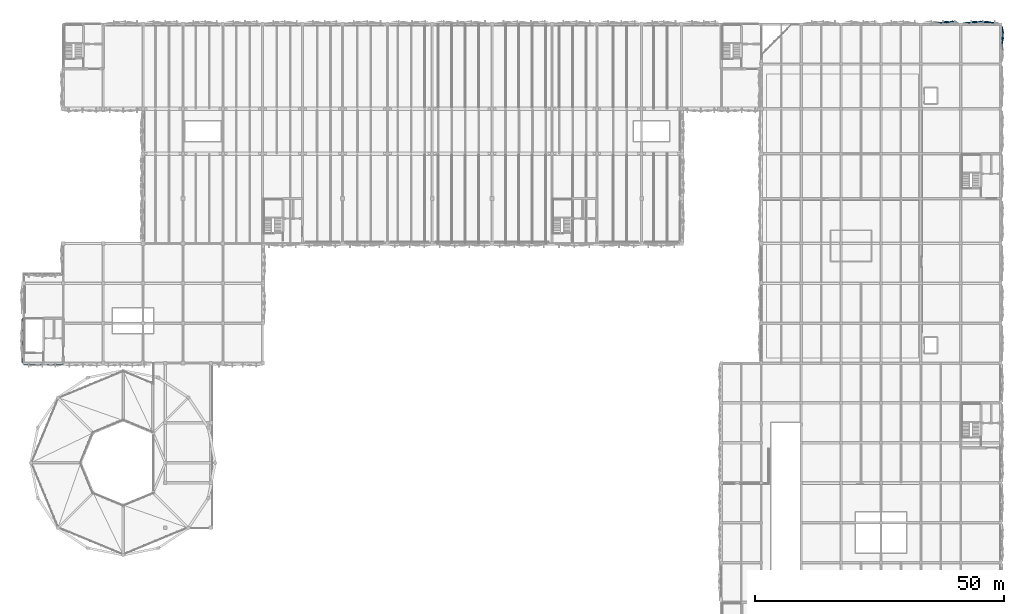
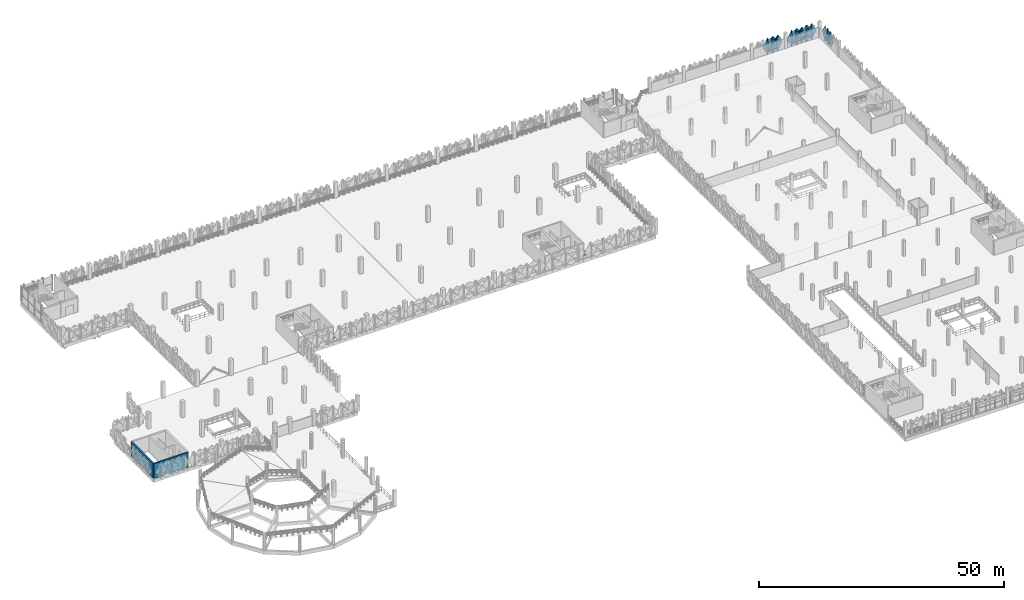
# One storey, part 39 of 83: 15 plates, 2 walls.
"""IFC4 building model written with IfcOpenShell, lengths in metres."""

from ifc_helpers import new_model, si_unit, derived_unit, direction, frame, frame_2d, origin, place, context, subcontext, project, spatial, rectangle, extrude, polygons, material, layer, layer_set, type_object, element, save


model = new_model("IFC4")

# Units and contexts
model_context = context("Model", 3, precision=1e-05, world=origin(), true_north=direction((0.0, 1.0)))
body_context = subcontext(model_context, "Body", "Model", "MODEL_VIEW")
ifc_project = project(units=[si_unit("LENGTHUNIT", "METRE"), si_unit("AREAUNIT", "SQUARE_METRE"), si_unit("VOLUMEUNIT", "CUBIC_METRE"), si_unit("PLANEANGLEUNIT", "RADIAN"), si_unit("MASSUNIT", "GRAM", prefix="KILO"), si_unit("THERMODYNAMICTEMPERATUREUNIT", "KELVIN"), derived_unit("THERMALTRANSMITTANCEUNIT", [(si_unit("POWERUNIT", "WATT"), 1), (si_unit("AREAUNIT", "SQUARE_METRE"), -1), (si_unit("THERMODYNAMICTEMPERATUREUNIT", "KELVIN"), -1)])], contexts=[model_context])

# Site, building, storey
site_placement = place(None, origin())
site = spatial("IfcSite", under=ifc_project, at=site_placement, CompositionType="ELEMENT")
building_placement = place(site_placement, origin())
building = spatial("IfcBuilding", under=site, at=building_placement, Name="Haiyu Intermodal Mobility Hub", CompositionType="ELEMENT")
storey_placement = place(building_placement, frame((0.0, 0.0, 13.39990234375)))
storey = spatial("IfcBuildingStorey", under=building, at=storey_placement, Name="L03", CompositionType="ELEMENT", Elevation=13.39990234375)

# Plates
ifc_material_1 = material(Name="Anodised aluminium 6063-T6", Category="aluminium")
ifc_layer_1 = layer(ifc_material_1, 0.01806640625)
ifc_layer_set_1 = layer_set([ifc_layer_1], Name="Anodised aluminium 6063-T6")
plate_type_1 = type_object("IfcPlateType", Name="PLT-FC01", PredefinedType="USERDEFINED", material=ifc_layer_set_1)
plate_1_placement = place(storey_placement, origin())
element("IfcPlate", 1, at=plate_1_placement, inside=storey, type_object=plate_type_1, Name="PLT-PYR-1262", ObjectType="FACADE CASSETTE", PredefinedType="USERDEFINED", context=body_context, shape_type="Tessellation", body=[
    polygons([(199.173095703125, 148.39990234375, 1.6201171875), (198.02001953125, 148.39990234375, 2.670166015625), (199.173095703125, 148.39990234375, 3.72021484375), (200.326904296875, 148.39990234375, 2.670166015625), (199.173095703125, 148.659912109375, 2.670166015625), (199.173095703125, 148.3779296875, 1.6201171875), (198.02001953125, 148.3779296875, 2.670166015625), (199.173095703125, 148.3779296875, 3.72021484375), (200.326904296875, 148.3779296875, 2.670166015625), (199.173095703125, 148.637939453125, 2.670166015625)], [[[1, 2, 5]], [[2, 3, 5]], [[3, 4, 5]], [[4, 1, 5]], [[7, 6, 10]], [[8, 7, 10]], [[9, 8, 10]], [[6, 9, 10]], [[1, 6, 7, 2]], [[2, 7, 8, 3]], [[3, 8, 9, 4]], [[4, 9, 6, 1]]], closed=True),
])
plate_2_placement = place(storey_placement, origin())
element("IfcPlate", 2, at=plate_2_placement, inside=storey, type_object=plate_type_1, Name="PLT-PYR-1270", ObjectType="FACADE CASSETTE", PredefinedType="USERDEFINED", context=body_context, shape_type="Tessellation", body=[
    polygons([(206.0, 148.39990234375, -0.510009765625), (204.846923828125, 148.39990234375, 1.60009765625), (206.0, 148.39990234375, 3.710205078125), (207.153076171875, 148.39990234375, 1.60009765625), (206.0, 148.679931640625, 1.60009765625), (206.0, 148.3779296875, -0.510009765625), (204.846923828125, 148.3779296875, 1.60009765625), (206.0, 148.3779296875, 3.710205078125), (207.153076171875, 148.3779296875, 1.60009765625), (206.0, 148.657958984375, 1.60009765625)], [[[1, 2, 5]], [[2, 3, 5]], [[3, 4, 5]], [[4, 1, 5]], [[7, 6, 10]], [[8, 7, 10]], [[9, 8, 10]], [[6, 9, 10]], [[1, 6, 7, 2]], [[2, 7, 8, 3]], [[3, 8, 9, 4]], [[4, 9, 6, 1]]], closed=True),
])
plate_3_placement = place(storey_placement, origin())
element("IfcPlate", 3, at=plate_3_placement, inside=storey, type_object=plate_type_1, Name="PLT-PYR-1272", ObjectType="FACADE CASSETTE", PredefinedType="USERDEFINED", context=body_context, shape_type="Tessellation", body=[
    polygons([(204.826904296875, 148.39990234375, 1.6201171875), (203.673095703125, 148.39990234375, 2.670166015625), (204.826904296875, 148.39990234375, 3.72021484375), (205.97998046875, 148.39990234375, 2.670166015625), (204.826904296875, 148.659912109375, 2.670166015625), (204.826904296875, 148.3779296875, 1.6201171875), (203.673095703125, 148.3779296875, 2.670166015625), (204.826904296875, 148.3779296875, 3.72021484375), (205.97998046875, 148.3779296875, 2.670166015625), (204.826904296875, 148.637939453125, 2.670166015625)], [[[1, 2, 5]], [[2, 3, 5]], [[3, 4, 5]], [[4, 1, 5]], [[7, 6, 10]], [[8, 7, 10]], [[9, 8, 10]], [[6, 9, 10]], [[1, 6, 7, 2]], [[2, 7, 8, 3]], [[3, 8, 9, 4]], [[4, 9, 6, 1]]], closed=True),
])
ifc_layer_2 = layer(ifc_material_1, 0.02001953125)
ifc_layer_set_2 = layer_set([ifc_layer_2], Name="Anodised aluminium 6063-T6")
plate_type_2 = type_object("IfcPlateType", Name="PLT-FC02", PredefinedType="USERDEFINED", material=ifc_layer_set_2)
plate_4_placement = place(storey_placement, origin())
element("IfcPlate", 4, at=plate_4_placement, inside=storey, type_object=plate_type_2, Name="PLT-PYR-1235", ObjectType="FACADE CASSETTE", PredefinedType="USERDEFINED", context=body_context, shape_type="Tessellation", body=[
    polygons([(210.39990234375, 144.0, -0.510009765625), (210.39990234375, 145.153076171875, 1.60009765625), (210.39990234375, 144.0, 3.710205078125), (210.39990234375, 142.846923828125, 1.60009765625), (210.139892578125, 144.0, 1.60009765625), (210.3779296875, 144.0, -0.510009765625), (210.3779296875, 145.153076171875, 1.60009765625), (210.3779296875, 144.0, 3.710205078125), (210.3779296875, 142.846923828125, 1.60009765625), (210.117919921875, 144.0, 1.60009765625)], [[[1, 2, 5]], [[2, 3, 5]], [[3, 4, 5]], [[4, 1, 5]], [[7, 6, 10]], [[8, 7, 10]], [[9, 8, 10]], [[6, 9, 10]], [[1, 6, 7, 2]], [[2, 7, 8, 3]], [[3, 8, 9, 4]], [[4, 9, 6, 1]]], closed=True),
])
plate_5_placement = place(storey_placement, origin())
element("IfcPlate", 5, at=plate_5_placement, inside=storey, type_object=plate_type_2, Name="PLT-PYR-1237", ObjectType="FACADE CASSETTE", PredefinedType="USERDEFINED", context=body_context, shape_type="Tessellation", body=[
    polygons([(210.39990234375, 145.173095703125, 1.6201171875), (210.39990234375, 146.326904296875, 2.670166015625), (210.39990234375, 145.173095703125, 3.72021484375), (210.39990234375, 144.02001953125, 2.670166015625), (210.179931640625, 145.173095703125, 2.670166015625), (210.3779296875, 145.173095703125, 1.6201171875), (210.3779296875, 146.326904296875, 2.670166015625), (210.3779296875, 145.173095703125, 3.72021484375), (210.3779296875, 144.02001953125, 2.670166015625), (210.157958984375, 145.173095703125, 2.670166015625)], [[[1, 2, 5]], [[2, 3, 5]], [[3, 4, 5]], [[4, 1, 5]], [[7, 6, 10]], [[8, 7, 10]], [[9, 8, 10]], [[6, 9, 10]], [[1, 6, 7, 2]], [[2, 7, 8, 3]], [[3, 8, 9, 4]], [[4, 9, 6, 1]]], closed=True),
])
plate_6_placement = place(storey_placement, origin())
element("IfcPlate", 6, at=plate_6_placement, inside=storey, type_object=plate_type_2, Name="PLT-PYR-1263", ObjectType="FACADE CASSETTE", PredefinedType="USERDEFINED", context=body_context, shape_type="Tessellation", body=[
    polygons([(198.0, 148.39990234375, -0.510009765625), (196.846923828125, 148.39990234375, 1.60009765625), (198.0, 148.39990234375, 3.710205078125), (199.153076171875, 148.39990234375, 1.60009765625), (198.0, 148.139892578125, 1.60009765625), (198.0, 148.3779296875, -0.510009765625), (196.846923828125, 148.3779296875, 1.60009765625), (198.0, 148.3779296875, 3.710205078125), (199.153076171875, 148.3779296875, 1.60009765625), (198.0, 148.117919921875, 1.60009765625)], [[[1, 2, 5]], [[2, 3, 5]], [[3, 4, 5]], [[4, 1, 5]], [[7, 6, 10]], [[8, 7, 10]], [[9, 8, 10]], [[6, 9, 10]], [[1, 6, 7, 2]], [[2, 7, 8, 3]], [[3, 8, 9, 4]], [[4, 9, 6, 1]]], closed=True),
])
plate_7_placement = place(storey_placement, origin())
element("IfcPlate", 7, at=plate_7_placement, inside=storey, type_object=plate_type_2, Name="PLT-PYR-1269", ObjectType="FACADE CASSETTE", PredefinedType="USERDEFINED", context=body_context, shape_type="Tessellation", body=[
    polygons([(207.173095703125, 148.39990234375, 1.6201171875), (206.02001953125, 148.39990234375, 2.670166015625), (207.173095703125, 148.39990234375, 3.72021484375), (208.326904296875, 148.39990234375, 2.670166015625), (207.173095703125, 148.179931640625, 2.670166015625), (207.173095703125, 148.3779296875, 1.6201171875), (206.02001953125, 148.3779296875, 2.670166015625), (207.173095703125, 148.3779296875, 3.72021484375), (208.326904296875, 148.3779296875, 2.670166015625), (207.173095703125, 148.157958984375, 2.670166015625)], [[[1, 2, 5]], [[2, 3, 5]], [[3, 4, 5]], [[4, 1, 5]], [[7, 6, 10]], [[8, 7, 10]], [[9, 8, 10]], [[6, 9, 10]], [[1, 6, 7, 2]], [[2, 7, 8, 3]], [[3, 8, 9, 4]], [[4, 9, 6, 1]]], closed=True),
])
ifc_layer_3 = layer(ifc_material_1, 0.01806640625)
ifc_layer_set_3 = layer_set([ifc_layer_3], Name="Anodised aluminium 6063-T6")
plate_type_3 = type_object("IfcPlateType", Name="PLT-FC03", PredefinedType="USERDEFINED", material=ifc_layer_set_3)
plate_8_placement = place(storey_placement, origin())
element("IfcPlate", 8, at=plate_8_placement, inside=storey, type_object=plate_type_3, Name="PLT-PYR-1238", ObjectType="FACADE CASSETTE", PredefinedType="USERDEFINED", context=body_context, shape_type="Tessellation", body=[
    polygons([(210.39990234375, 146.346923828125, -0.510009765625), (210.39990234375, 147.5, 1.60009765625), (210.39990234375, 146.346923828125, 3.710205078125), (210.39990234375, 145.193115234375, 1.60009765625), (210.679931640625, 146.346923828125, 1.60009765625), (210.3779296875, 146.346923828125, -0.510009765625), (210.3779296875, 147.5, 1.60009765625), (210.3779296875, 146.346923828125, 3.710205078125), (210.3779296875, 145.193115234375, 1.60009765625), (210.657958984375, 146.346923828125, 1.60009765625)], [[[1, 2, 5]], [[2, 3, 5]], [[3, 4, 5]], [[4, 1, 5]], [[7, 6, 10]], [[8, 7, 10]], [[9, 8, 10]], [[6, 9, 10]], [[1, 6, 7, 2]], [[2, 7, 8, 3]], [[3, 8, 9, 4]], [[4, 9, 6, 1]]], closed=True),
])
ifc_layer_4 = layer(ifc_material_1, 0.02001953125)
ifc_layer_set_4 = layer_set([ifc_layer_4], Name="Anodised aluminium 6063-T6")
plate_type_4 = type_object("IfcPlateType", Name="PLT-FC04", PredefinedType="USERDEFINED", material=ifc_layer_set_4)
plate_9_placement = place(storey_placement, origin())
element("IfcPlate", 9, at=plate_9_placement, inside=storey, type_object=plate_type_4, Name="PLT-PYR-1273", ObjectType="FACADE CASSETTE", PredefinedType="USERDEFINED", context=body_context, shape_type="Tessellation", body=[
    polygons([(203.653076171875, 148.39990234375, -0.510009765625), (202.5, 148.39990234375, 1.60009765625), (203.653076171875, 148.39990234375, 3.710205078125), (204.806884765625, 148.39990234375, 1.60009765625), (203.653076171875, 148.139892578125, 1.60009765625), (203.653076171875, 148.3779296875, -0.510009765625), (202.5, 148.3779296875, 1.60009765625), (203.653076171875, 148.3779296875, 3.710205078125), (204.806884765625, 148.3779296875, 1.60009765625), (203.653076171875, 148.117919921875, 1.60009765625)], [[[1, 2, 5]], [[2, 3, 5]], [[3, 4, 5]], [[4, 1, 5]], [[7, 6, 10]], [[8, 7, 10]], [[9, 8, 10]], [[6, 9, 10]], [[1, 6, 7, 2]], [[2, 7, 8, 3]], [[3, 8, 9, 4]], [[4, 9, 6, 1]]], closed=True),
])
ifc_layer_5 = layer(ifc_material_1, 0.02197265625)
ifc_layer_set_5 = layer_set([ifc_layer_5], Name="Anodised aluminium 6063-T6")
plate_type_5 = type_object("IfcPlateType", Name="PLT-FC07", PredefinedType="USERDEFINED", material=ifc_layer_set_5)
plate_10_placement = place(storey_placement, origin())
element("IfcPlate", 10, at=plate_10_placement, inside=storey, type_object=plate_type_5, Name="PLT-PYR-1236", ObjectType="FACADE CASSETTE", PredefinedType="USERDEFINED", context=body_context, shape_type="Tessellation", body=[
    polygons([(210.39990234375, 145.173095703125, -0.52001953125), (210.39990234375, 146.326904296875, 0.530029296875), (210.39990234375, 145.173095703125, 1.580078125), (210.39990234375, 144.02001953125, 0.530029296875), (210.659912109375, 145.173095703125, 0.530029296875), (210.3779296875, 145.173095703125, -0.52001953125), (210.3779296875, 146.326904296875, 0.530029296875), (210.3779296875, 145.173095703125, 1.580078125), (210.3779296875, 144.02001953125, 0.530029296875), (210.637939453125, 145.173095703125, 0.530029296875)], [[[1, 2, 5]], [[2, 3, 5]], [[3, 4, 5]], [[4, 1, 5]], [[7, 6, 10]], [[8, 7, 10]], [[9, 8, 10]], [[6, 9, 10]], [[1, 6, 7, 2]], [[2, 7, 8, 3]], [[3, 8, 9, 4]], [[4, 9, 6, 1]]], closed=True),
])
plate_11_placement = place(storey_placement, origin())
element("IfcPlate", 11, at=plate_11_placement, inside=storey, type_object=plate_type_5, Name="PLT-PYR-1260", ObjectType="FACADE CASSETTE", PredefinedType="USERDEFINED", context=body_context, shape_type="Tessellation", body=[
    polygons([(200.346923828125, 148.39990234375, -0.510009765625), (199.193115234375, 148.39990234375, 1.60009765625), (200.346923828125, 148.39990234375, 3.710205078125), (201.5, 148.39990234375, 1.60009765625), (200.346923828125, 148.679931640625, 1.60009765625), (200.346923828125, 148.3779296875, -0.510009765625), (199.193115234375, 148.3779296875, 1.60009765625), (200.346923828125, 148.3779296875, 3.710205078125), (201.5, 148.3779296875, 1.60009765625), (200.346923828125, 148.657958984375, 1.60009765625)], [[[1, 2, 5]], [[2, 3, 5]], [[3, 4, 5]], [[4, 1, 5]], [[7, 6, 10]], [[8, 7, 10]], [[9, 8, 10]], [[6, 9, 10]], [[1, 6, 7, 2]], [[2, 7, 8, 3]], [[3, 8, 9, 4]], [[4, 9, 6, 1]]], closed=True),
])
plate_12_placement = place(storey_placement, origin())
element("IfcPlate", 12, at=plate_12_placement, inside=storey, type_object=plate_type_5, Name="PLT-PYR-1268", ObjectType="FACADE CASSETTE", PredefinedType="USERDEFINED", context=body_context, shape_type="Tessellation", body=[
    polygons([(207.173095703125, 148.39990234375, -0.52001953125), (206.02001953125, 148.39990234375, 0.530029296875), (207.173095703125, 148.39990234375, 1.580078125), (208.326904296875, 148.39990234375, 0.530029296875), (207.173095703125, 148.659912109375, 0.530029296875), (207.173095703125, 148.3779296875, -0.52001953125), (206.02001953125, 148.3779296875, 0.530029296875), (207.173095703125, 148.3779296875, 1.580078125), (208.326904296875, 148.3779296875, 0.530029296875), (207.173095703125, 148.637939453125, 0.530029296875)], [[[1, 2, 5]], [[2, 3, 5]], [[3, 4, 5]], [[4, 1, 5]], [[7, 6, 10]], [[8, 7, 10]], [[9, 8, 10]], [[6, 9, 10]], [[1, 6, 7, 2]], [[2, 7, 8, 3]], [[3, 8, 9, 4]], [[4, 9, 6, 1]]], closed=True),
])
ifc_layer_6 = layer(ifc_material_1, 0.02392578125)
ifc_layer_set_6 = layer_set([ifc_layer_6], Name="Anodised aluminium 6063-T6")
plate_type_6 = type_object("IfcPlateType", Name="PLT-FC08", PredefinedType="USERDEFINED", material=ifc_layer_set_6)
plate_13_placement = place(storey_placement, origin())
element("IfcPlate", 13, at=plate_13_placement, inside=storey, type_object=plate_type_6, Name="PLT-PYR-1261", ObjectType="FACADE CASSETTE", PredefinedType="USERDEFINED", context=body_context, shape_type="Tessellation", body=[
    polygons([(199.173095703125, 148.39990234375, -0.52001953125), (198.02001953125, 148.39990234375, 0.530029296875), (199.173095703125, 148.39990234375, 1.580078125), (200.326904296875, 148.39990234375, 0.530029296875), (199.173095703125, 148.179931640625, 0.530029296875), (199.173095703125, 148.3779296875, -0.52001953125), (198.02001953125, 148.3779296875, 0.530029296875), (199.173095703125, 148.3779296875, 1.580078125), (200.326904296875, 148.3779296875, 0.530029296875), (199.173095703125, 148.157958984375, 0.530029296875)], [[[1, 2, 5]], [[2, 3, 5]], [[3, 4, 5]], [[4, 1, 5]], [[7, 6, 10]], [[8, 7, 10]], [[9, 8, 10]], [[6, 9, 10]], [[1, 6, 7, 2]], [[2, 7, 8, 3]], [[3, 8, 9, 4]], [[4, 9, 6, 1]]], closed=True),
])
plate_14_placement = place(storey_placement, origin())
element("IfcPlate", 14, at=plate_14_placement, inside=storey, type_object=plate_type_6, Name="PLT-PYR-1267", ObjectType="FACADE CASSETTE", PredefinedType="USERDEFINED", context=body_context, shape_type="Tessellation", body=[
    polygons([(208.346923828125, 148.39990234375, -0.510009765625), (207.193115234375, 148.39990234375, 1.60009765625), (208.346923828125, 148.39990234375, 3.710205078125), (209.5, 148.39990234375, 1.60009765625), (208.346923828125, 148.139892578125, 1.60009765625), (208.346923828125, 148.3779296875, -0.510009765625), (207.193115234375, 148.3779296875, 1.60009765625), (208.346923828125, 148.3779296875, 3.710205078125), (209.5, 148.3779296875, 1.60009765625), (208.346923828125, 148.117919921875, 1.60009765625)], [[[1, 2, 5]], [[2, 3, 5]], [[3, 4, 5]], [[4, 1, 5]], [[7, 6, 10]], [[8, 7, 10]], [[9, 8, 10]], [[6, 9, 10]], [[1, 6, 7, 2]], [[2, 7, 8, 3]], [[3, 8, 9, 4]], [[4, 9, 6, 1]]], closed=True),
])
plate_15_placement = place(storey_placement, origin())
element("IfcPlate", 15, at=plate_15_placement, inside=storey, type_object=plate_type_6, Name="PLT-PYR-1271", ObjectType="FACADE CASSETTE", PredefinedType="USERDEFINED", context=body_context, shape_type="Tessellation", body=[
    polygons([(204.826904296875, 148.39990234375, -0.52001953125), (203.673095703125, 148.39990234375, 0.530029296875), (204.826904296875, 148.39990234375, 1.580078125), (205.97998046875, 148.39990234375, 0.530029296875), (204.826904296875, 148.179931640625, 0.530029296875), (204.826904296875, 148.3779296875, -0.52001953125), (203.673095703125, 148.3779296875, 0.530029296875), (204.826904296875, 148.3779296875, 1.580078125), (205.97998046875, 148.3779296875, 0.530029296875), (204.826904296875, 148.157958984375, 0.530029296875)], [[[1, 2, 5]], [[2, 3, 5]], [[3, 4, 5]], [[4, 1, 5]], [[7, 6, 10]], [[8, 7, 10]], [[9, 8, 10]], [[6, 9, 10]], [[1, 6, 7, 2]], [[2, 7, 8, 3]], [[3, 8, 9, 4]], [[4, 9, 6, 1]]], closed=True),
])

# Walls
ifc_material_2 = material(Name="Concrete C40", Category="concrete")
ifc_layer_7 = layer(ifc_material_2, 0.3798828125)
ifc_layer_set_7 = layer_set([ifc_layer_7], Name="Concrete C40")
wall_type = type_object("IfcWallType", Name="WAL-WS03", PredefinedType="SHEAR", material=ifc_layer_set_7)
wall_1_placement = place(storey_placement, frame((14.0, 80.0, 0.0), z_axis=(0.0, 0.0, 1.0), x_axis=(1.0, 0.0, 0.0)))
element("IfcWall", 16, at=wall_1_placement, inside=storey, type_object=wall_type, Name="WAL-CORE-C7-S-L03", PredefinedType="SHEAR", context=body_context, shape_type="SweptSolid", body=[
    extrude(rectangle(XDim=8.0, YDim=0.3798828125, at=frame_2d((4.0, 0.0))), origin(), (0.0, 0.0, 1.0), 3.64501953125),
])
wall_2_placement = place(storey_placement, frame((14.0, 89.0, 0.0), z_axis=(0.0, 0.0, 1.0), x_axis=(0.0, -1.0, 0.0)))
element("IfcWall", 17, at=wall_2_placement, inside=storey, type_object=wall_type, Name="WAL-CORE-C7-W-L03", PredefinedType="SHEAR", context=body_context, shape_type="SweptSolid", body=[
    extrude(rectangle(XDim=9.0, YDim=0.3798828125, at=frame_2d((4.5, 0.0))), origin(), (0.0, 0.0, 1.0), 3.64501953125),
])

save(model, "model.ifc")
